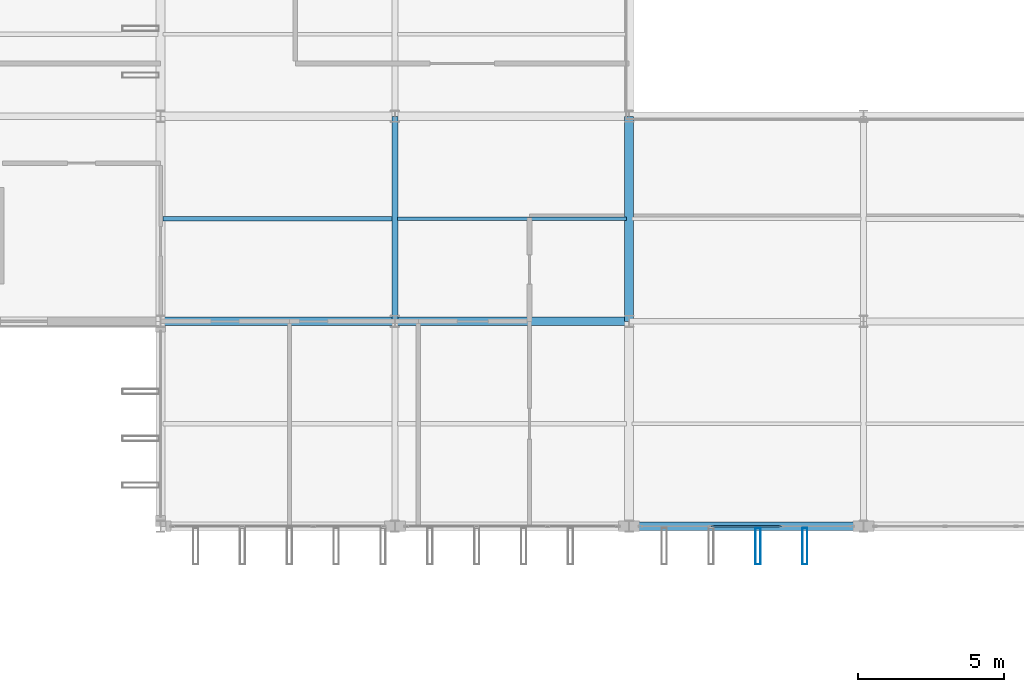
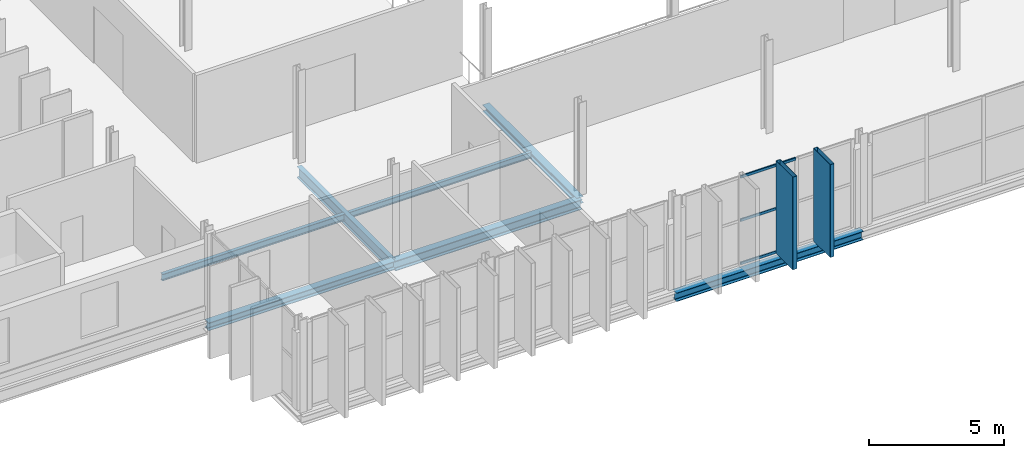
# One storey, part 27 of 101: 7 beams, 5 members, 1 element without a shape of its own.
"""IFC4 building model written with IfcOpenShell, lengths in metres."""

from ifc_helpers import new_model, si_unit, direction, frame, origin, origin_2d, place, context, subcontext, project, spatial, hollow_rectangle, i_section, extrude, material, layer, layer_set, material_profile, profile_set, type_object, element, aggregate, save


model = new_model("IFC4")

# Units and contexts
model_context = context("Model", 3, precision=1e-05, world=origin(), true_north=direction((0.0, 1.0)))
body_context = subcontext(model_context, "Body", "Model", "MODEL_VIEW")
ifc_project = project(units=[si_unit("LENGTHUNIT", "METRE"), si_unit("AREAUNIT", "SQUARE_METRE"), si_unit("VOLUMEUNIT", "CUBIC_METRE"), si_unit("PLANEANGLEUNIT", "RADIAN"), si_unit("MASSUNIT", "GRAM", prefix="KILO")], contexts=[model_context])

# Site, building, storey
site_placement = place(None, origin())
site = spatial("IfcSite", under=ifc_project, at=site_placement, CompositionType="ELEMENT")
building_placement = place(site_placement, origin())
building = spatial("IfcBuilding", under=site, at=building_placement, Name="Vekula Escarpment Museum", CompositionType="ELEMENT")
storey_placement = place(building_placement, frame((0.0, 0.0, 18.0)))
storey = spatial("IfcBuildingStorey", under=building, at=storey_placement, Name="L04", CompositionType="ELEMENT", Elevation=18.0)

# Beams
ifc_material_1 = material(Name="Steel S355", Category="steel")
ifc_material_profile_1 = material_profile(ifc_material_1, i_section(OverallWidth=0.300048828125, OverallDepth=0.360107421875, WebThickness=0.012451171875, FlangeThickness=0.0224609375, FilletRadius=0.027099609375, at=origin_2d()), Name="HEB 360")
ifc_profile_set_1 = profile_set([ifc_material_profile_1], Name="Steel S355")
beam_type_1 = type_object("IfcBeamType", Name="BM-GIRD-HEB360", PredefinedType="BEAM", material=ifc_profile_set_1)
beam_1_placement = place(storey_placement, frame((70.0, 52.60009765625, -0.419921875), z_axis=(1.0, 0.0, 0.0), x_axis=(0.0, 1.0, 0.0)))
element("IfcBeam", 1, at=beam_1_placement, inside=storey, type_object=beam_type_1, Name="Beam X L04 1695", PredefinedType="BEAM", context=body_context, shape_type="SweptSolid", body=[
    extrude(i_section(OverallWidth=0.300048828125, OverallDepth=0.360107421875, WebThickness=0.012451171875, FlangeThickness=0.0224609375, FilletRadius=0.027099609375, at=origin_2d()), origin(), (0.0, 0.0, 1.0), 8.0),
])
ifc_material_2 = material(Name="Steel S355", Category="steel")
ifc_material_profile_2 = material_profile(ifc_material_2, i_section(OverallWidth=0.300048828125, OverallDepth=0.449951171875, WebThickness=0.013916015625, FlangeThickness=0.02587890625, FilletRadius=0.027099609375, at=origin_2d()), Name="HEB 450")
ifc_profile_set_2 = profile_set([ifc_material_profile_2], Name="Steel S355")
beam_type_2 = type_object("IfcBeamType", Name="BM-GIRD-HEB450", PredefinedType="BEAM", material=ifc_profile_set_2)
beam_2_placement = place(storey_placement, frame((78.0, 52.60009765625, -0.465087890625), z_axis=(1.0, 0.0, 0.0), x_axis=(0.0, 1.0, 0.0)))
element("IfcBeam", 2, at=beam_2_placement, inside=storey, type_object=beam_type_2, Name="Beam X L04 1696", PredefinedType="BEAM", context=body_context, shape_type="SweptSolid", body=[
    extrude(i_section(OverallWidth=0.300048828125, OverallDepth=0.449951171875, WebThickness=0.013916015625, FlangeThickness=0.02587890625, FilletRadius=0.027099609375, at=origin_2d()), origin(), (0.0, 0.0, 1.0), 8.0),
])
ifc_material_3 = material(Name="Steel S355", Category="steel")
ifc_material_profile_3 = material_profile(ifc_material_3, i_section(OverallWidth=0.199951171875, OverallDepth=0.5, WebThickness=0.01025390625, FlangeThickness=0.01611328125, FilletRadius=0.02099609375, at=origin_2d()), Name="IPE 500")
ifc_profile_set_3 = profile_set([ifc_material_profile_3], Name="Steel S355")
beam_type_3 = type_object("IfcBeamType", Name="BM-GIRD-IPE500", PredefinedType="BEAM", material=ifc_profile_set_3)
beam_3_placement = place(storey_placement, frame((78.0, 52.60009765625, -0.489990234375), z_axis=(0.0, 1.0, 0.0), x_axis=(-1.0, 0.0, 0.0)))
element("IfcBeam", 3, at=beam_3_placement, inside=storey, type_object=beam_type_3, Name="Beam Y L04 1880", PredefinedType="BEAM", context=body_context, shape_type="SweptSolid", body=[
    extrude(i_section(OverallWidth=0.199951171875, OverallDepth=0.5, WebThickness=0.01025390625, FlangeThickness=0.01611328125, FilletRadius=0.02099609375, at=origin_2d()), origin(), (0.0, 0.0, 1.0), 7.0),
])
ifc_material_4 = material(Name="Steel S355", Category="steel")
ifc_material_profile_4 = material_profile(ifc_material_4, i_section(OverallWidth=0.135009765625, OverallDepth=0.27001953125, WebThickness=0.006591796875, FlangeThickness=0.01025390625, FilletRadius=0.014892578125, at=origin_2d()), Name="IPE 270")
ifc_profile_set_4 = profile_set([ifc_material_profile_4], Name="Steel S355")
beam_type_4 = type_object("IfcBeamType", Name="BM-JST-IPE270", PredefinedType="JOIST", material=ifc_profile_set_4)
beam_4_placement = place(storey_placement, frame((78.090087890625, 56.10009765625, -0.375), z_axis=(1.0, 0.0, 0.0), x_axis=(0.0, 1.0, 0.0)))
element("IfcBeam", 4, at=beam_4_placement, inside=storey, type_object=beam_type_4, Name="Secondary Joist L04 1205", PredefinedType="JOIST", context=body_context, shape_type="SweptSolid", body=[
    extrude(i_section(OverallWidth=0.135009765625, OverallDepth=0.27001953125, WebThickness=0.006591796875, FlangeThickness=0.01025390625, FilletRadius=0.014892578125, at=origin_2d()), origin(), (0.0, 0.0, 1.0), 7.81982421875),
])
ifc_material_5 = material(Name="Steel S355", Category="steel")
ifc_material_profile_5 = material_profile(ifc_material_5, i_section(OverallWidth=0.14990234375, OverallDepth=0.300048828125, WebThickness=0.007080078125, FlangeThickness=0.0107421875, FilletRadius=0.014892578125, at=origin_2d()), Name="IPE 300")
ifc_profile_set_5 = profile_set([ifc_material_profile_5], Name="Steel S355")
beam_type_5 = type_object("IfcBeamType", Name="BM-JST-IPE300", PredefinedType="JOIST", material=ifc_profile_set_5)
beam_5_placement = place(storey_placement, frame((70.090087890625, 56.10009765625, -0.389892578125), z_axis=(1.0, 0.0, 0.0), x_axis=(0.0, 1.0, 0.0)))
element("IfcBeam", 5, at=beam_5_placement, inside=storey, type_object=beam_type_5, Name="Secondary Joist L04 1198", PredefinedType="JOIST", context=body_context, shape_type="SweptSolid", body=[
    extrude(i_section(OverallWidth=0.14990234375, OverallDepth=0.300048828125, WebThickness=0.007080078125, FlangeThickness=0.0107421875, FilletRadius=0.014892578125, at=origin_2d()), origin(), (0.0, 0.0, 1.0), 7.81982421875),
])
ifc_material_6 = material(Name="Steel S355", Category="steel")
ifc_material_profile_6 = material_profile(ifc_material_6, i_section(OverallWidth=0.300048828125, OverallDepth=0.2900390625, WebThickness=0.008544921875, FlangeThickness=0.013916015625, FilletRadius=0.027099609375, at=origin_2d()), Name="HEA 300")
ifc_profile_set_6 = profile_set([ifc_material_profile_6], Name="Steel S355")
beam_type_6 = type_object("IfcBeamType", Name="BM-SPAN-HEA300", PredefinedType="SPANDREL", material=ifc_profile_set_6)
beam_6_placement = place(storey_placement, frame((86.0, 52.60009765625, -0.385009765625), z_axis=(0.0, 1.0, 0.0), x_axis=(-1.0, 0.0, 0.0)))
element("IfcBeam", 6, at=beam_6_placement, inside=storey, type_object=beam_type_6, Name="Beam Y L04 1886", PredefinedType="SPANDREL", context=body_context, shape_type="SweptSolid", body=[
    extrude(i_section(OverallWidth=0.300048828125, OverallDepth=0.2900390625, WebThickness=0.008544921875, FlangeThickness=0.013916015625, FilletRadius=0.027099609375, at=origin_2d()), origin(), (0.0, 0.0, 1.0), 7.0),
])
ifc_material_7 = material(Name="Steel S355", Category="steel")
ifc_material_profile_7 = material_profile(ifc_material_7, i_section(OverallWidth=0.300048828125, OverallDepth=0.389892578125, WebThickness=0.010986328125, FlangeThickness=0.01904296875, FilletRadius=0.027099609375, at=origin_2d()), Name="HEA 400")
ifc_profile_set_7 = profile_set([ifc_material_profile_7], Name="Steel S355")
beam_type_7 = type_object("IfcBeamType", Name="BM-SPAN-HEA400", PredefinedType="SPANDREL", material=ifc_profile_set_7)
beam_7_placement = place(storey_placement, frame((86.0, 45.60009765625, -0.43505859375), z_axis=(1.0, 0.0, 0.0), x_axis=(0.0, 1.0, 0.0)))
element("IfcBeam", 7, at=beam_7_placement, inside=storey, type_object=beam_type_7, Name="Beam X L04 1685", PredefinedType="SPANDREL", context=body_context, shape_type="SweptSolid", body=[
    extrude(i_section(OverallWidth=0.300048828125, OverallDepth=0.389892578125, WebThickness=0.010986328125, FlangeThickness=0.01904296875, FilletRadius=0.027099609375, at=origin_2d()), origin(), (0.0, 0.0, 1.0), 8.0),
])

# Curtain wall, members
ifc_material_8 = material(Name="Aluminium thermally broken framing", Category="aluminium")
ifc_layer = layer(ifc_material_8, 0.199951171875)
ifc_layer_set = layer_set([ifc_layer], Name="Aluminium thermally broken framing")
curtain_wall_type = type_object("IfcCurtainWallType", Name="CW-SYS-04", PredefinedType="NOTDEFINED", material=ifc_layer_set)
curtain_wall_placement = place(storey_placement, origin())
curtain_wall = element("IfcCurtainWall", 8, at=curtain_wall_placement, inside=storey, type_object=curtain_wall_type, Name="Curtain Wall CW-L04-134", PredefinedType="NOTDEFINED")
ifc_material_9 = material(Name="Aluminium anodized transom", Category="aluminium")
ifc_material_profile_8 = material_profile(ifc_material_9, hollow_rectangle(XDim=0.06005859375, YDim=0.1201171875, WallThickness=0.00390625, InnerFilletRadius=0.00390625, OuterFilletRadius=0.008056640625, at=origin_2d()), Name="ALU 120x60x4")
ifc_profile_set_8 = profile_set([ifc_material_profile_8], Name="Aluminium anodized transom")
member_type_1 = type_object("IfcMemberType", Name="CW-TRN-120", PredefinedType="USERDEFINED", material=ifc_profile_set_8)
member_1_placement = place(storey_placement, frame((88.816650390625, 45.60009765625, 0.030029296875), z_axis=(1.0, 0.0, 0.0), x_axis=(0.0, 1.0, 0.0)))
member_1 = element("IfcMember", 9, at=member_1_placement, type_object=member_type_1, Name="CW-04 transom 2.1", ObjectType="TRANSOM", PredefinedType="USERDEFINED", context=body_context, shape_type="SweptSolid", body=[
    extrude(hollow_rectangle(XDim=0.06005859375, YDim=0.1201171875, WallThickness=0.00390625, InnerFilletRadius=0.00390625, OuterFilletRadius=0.008056640625, at=origin_2d()), origin(), (0.0, 0.0, 1.0), 2.36669921875),
])
member_2_placement = place(storey_placement, frame((88.816650390625, 45.60009765625, 1.989990234375), z_axis=(1.0, 0.0, 0.0), x_axis=(0.0, 1.0, 0.0)))
member_2 = element("IfcMember", 10, at=member_2_placement, type_object=member_type_1, Name="CW-04 transom 2.2", ObjectType="TRANSOM", PredefinedType="USERDEFINED", context=body_context, shape_type="SweptSolid", body=[
    extrude(hollow_rectangle(XDim=0.06005859375, YDim=0.1201171875, WallThickness=0.00390625, InnerFilletRadius=0.00390625, OuterFilletRadius=0.008056640625, at=origin_2d()), origin(), (0.0, 0.0, 1.0), 2.36669921875),
])
member_3_placement = place(storey_placement, frame((88.816650390625, 45.60009765625, 3.949951171875), z_axis=(1.0, 0.0, 0.0), x_axis=(0.0, 1.0, 0.0)))
member_3 = element("IfcMember", 11, at=member_3_placement, type_object=member_type_1, Name="CW-04 transom 2.3", ObjectType="TRANSOM", PredefinedType="USERDEFINED", context=body_context, shape_type="SweptSolid", body=[
    extrude(hollow_rectangle(XDim=0.06005859375, YDim=0.1201171875, WallThickness=0.00390625, InnerFilletRadius=0.00390625, OuterFilletRadius=0.008056640625, at=origin_2d()), origin(), (0.0, 0.0, 1.0), 2.36669921875),
])
aggregate(curtain_wall, [member_1, member_2, member_3])

# Members
ifc_material_10 = material(Name="Steel S355 weathered bronze solar fin", Category="steel")
ifc_material_profile_9 = material_profile(ifc_material_10, hollow_rectangle(XDim=0.179931640625, YDim=1.25, WallThickness=0.010009765625, InnerFilletRadius=0.010009765625, OuterFilletRadius=0.02001953125, at=origin_2d()), Name="RHS 1250x180x10")
ifc_profile_set_9 = profile_set([ifc_material_profile_9], Name="Steel S355 weathered bronze solar fin")
member_type_2 = type_object("IfcMemberType", Name="MB-SOLAR-FIN", PredefinedType="USERDEFINED", material=ifc_profile_set_9)
for number, where, z_axis, x_axis, name in (
    (12, (90.39990234375, 44.919921875, 0.0), (0.0, 0.0, 1.0), (1.0, 0.0, 0.0), "Great Hall Vertical Solar Fin 0059"),
    (13, (92.0, 44.919921875, 0.0), (0.0, 0.0, 1.0), (1.0, 0.0, 0.0), "Great Hall Vertical Solar Fin 0064"),
):
    element("IfcMember", number, at=place(storey_placement, frame(where, z_axis=z_axis, x_axis=x_axis)), inside=storey, type_object=member_type_2, Name=name, ObjectType="SOLAR FIN", PredefinedType="USERDEFINED", context=body_context, shape_type="SweptSolid", body=[
        extrude(hollow_rectangle(XDim=0.179931640625, YDim=1.25, WallThickness=0.010009765625, InnerFilletRadius=0.010009765625, OuterFilletRadius=0.02001953125, at=origin_2d()), origin(), (0.0, 0.0, 1.0), 4.199951171875),
    ])

save(model, "model.ifc")
